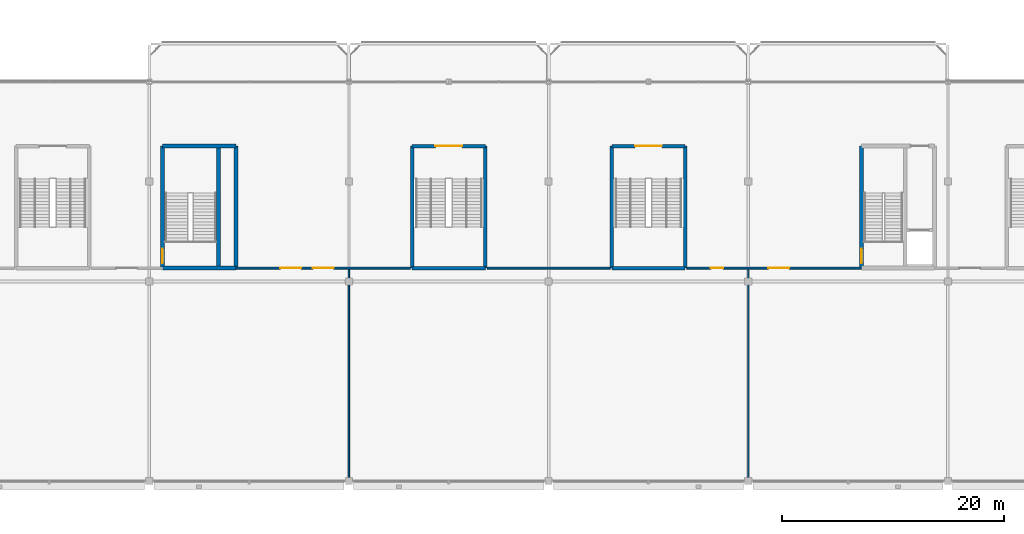
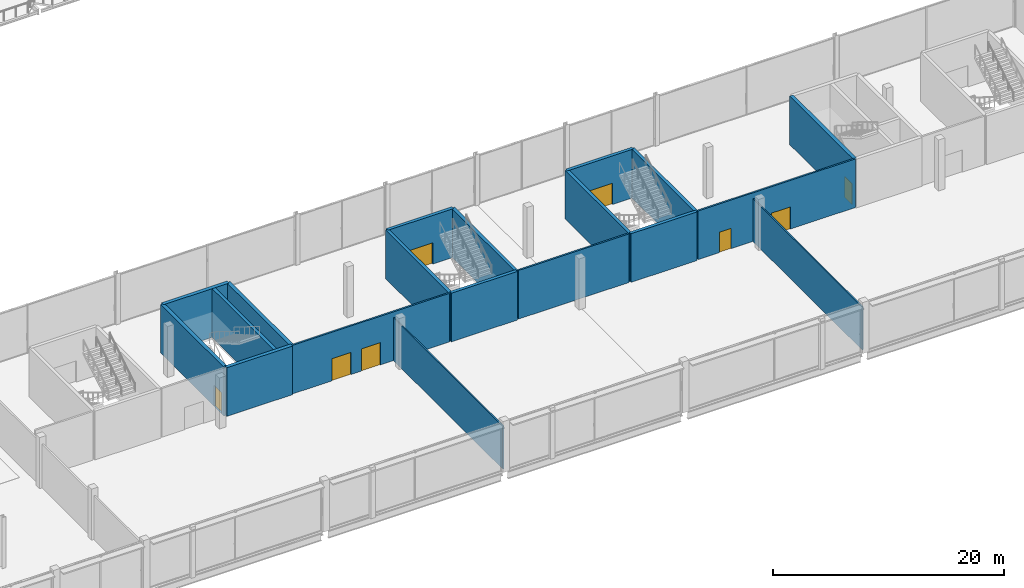
# One storey, part 65 of 113: 19 walls, 8 doors, 8 openings.
"""IFC4 building model written with IfcOpenShell, lengths in metres."""

from ifc_helpers import new_model, si_unit, direction, frame, frame_2d, origin, place, context, subcontext, project, spatial, rectangle, extrude, material, layer, layer_set, type_object, element, fill, save


model = new_model("IFC4")

# Units and contexts
model_context = context("Model", 3, precision=1e-05, world=origin(), true_north=direction((0.0, 1.0)))
body_context = subcontext(model_context, "Body", "Model", "MODEL_VIEW")
ifc_project = project(units=[si_unit("LENGTHUNIT", "METRE"), si_unit("AREAUNIT", "SQUARE_METRE"), si_unit("VOLUMEUNIT", "CUBIC_METRE"), si_unit("PLANEANGLEUNIT", "RADIAN"), si_unit("MASSUNIT", "GRAM", prefix="KILO")], contexts=[model_context])

# Site, building, storey
site_placement = place(None, origin())
site = spatial("IfcSite", under=ifc_project, at=site_placement, CompositionType="ELEMENT")
building_placement = place(site_placement, origin())
building = spatial("IfcBuilding", under=site, at=building_placement, Name="Kisiwana Market Hall", CompositionType="ELEMENT")
storey_placement = place(building_placement, frame((0.0, 0.0, 6.0)))
storey = spatial("IfcBuildingStorey", under=building, at=storey_placement, Name="L01", CompositionType="ELEMENT", Elevation=6.0)

# Walls
ifc_material_1 = material(Name="Concrete C40/50", Category="concrete")
ifc_layer_1 = layer(ifc_material_1, 0.320068359375, Name="Reinforced concrete shaft wall")
ifc_layer_set_1 = layer_set([ifc_layer_1], Name="WL-CORE-320")
wall_type_1 = type_object("IfcWallType", Name="WL-CORE-320", PredefinedType="SHEAR", material=ifc_layer_set_1)
wall_1_placement = place(storey_placement, frame((69.239990234375, 19.3798828125, 0.0), z_axis=(0.0, 0.0, 1.0), x_axis=(0.0, 1.0, 0.0)))
element("IfcWall", 1, at=wall_1_placement, inside=storey, type_object=wall_type_1, Name="Core S1 shaft divider W-0712", PredefinedType="SHEAR", context=body_context, shape_type="SweptSolid", body=[
    extrude(rectangle(XDim=10.64013671875, YDim=0.320068359375, at=frame_2d((5.320068359375, 0.0))), origin(), (0.0, 0.0, 1.0), 5.14990234375),
])
wall_2_placement = place(storey_placement, frame((86.699951171875, 19.199951171875, 0.0), z_axis=(0.0, 0.0, 1.0), x_axis=(1.0, 0.0, 0.0)))
element("IfcWall", 2, at=wall_2_placement, inside=storey, type_object=wall_type_1, Name="Core S4 outer shear wall W-0802", PredefinedType="SHEAR", context=body_context, shape_type="SweptSolid", body=[
    extrude(rectangle(XDim=6.60009765625, YDim=0.320068359375, at=frame_2d((3.300048828125, 0.0))), origin(), (0.0, 0.0, 1.0), 5.14990234375),
])

# Wall, opening, door
wall_3_placement = place(storey_placement, frame((86.699951171875, 30.199951171875, 0.0), z_axis=(0.0, 0.0, 1.0), x_axis=(1.0, 0.0, 0.0)))
wall_3 = element("IfcWall", 3, at=wall_3_placement, inside=storey, type_object=wall_type_1, Name="Core S4 corridor shear wall W-0803", PredefinedType="SHEAR", context=body_context, shape_type="SweptSolid", body=[
    extrude(rectangle(XDim=6.60009765625, YDim=0.320068359375, at=frame_2d((3.300048828125, 0.0))), origin(), (0.0, 0.0, 1.0), 5.14990234375),
])
opening_1_placement = place(wall_3_placement, frame((2.10009765625, 0.0, 0.0)))
opening_1 = element("IfcOpeningElement", 4, at=opening_1_placement, cuts=wall_3, Name="Opening DR-L01-035", PredefinedType="OPENING", context=body_context, shape_type="SweptSolid", body=[
    extrude(rectangle(XDim=2.39990234375, YDim=2.25, at=frame_2d((1.199951171875, 1.125))), frame((0.0, 0.171875, 0.0), z_axis=(0.0, -1.0, 0.0), x_axis=(1.0, 0.0, 0.0)), (0.0, 0.0, 1.0), 0.343994140625),
])
ifc_material_2 = material(Name="Steel S275", Category="steel")
door_type_1 = type_object("IfcDoorType", Name="DR-STAIR-FD120-2400", OperationType="DOUBLE_DOOR_SINGLE_SWING", PredefinedType="DOOR", material=ifc_material_2)
door_1_placement = place(opening_1_placement, frame((2.39990234375, 0.0, 0.0), z_axis=(0.0, 0.0, 1.0), x_axis=(-1.0, 0.0, 0.0)))
door_1 = element("IfcDoor", 5, at=door_1_placement, inside=storey, type_object=door_type_1, Name="Escape Stair S4 Fire Door (L01)", OperationType="DOUBLE_DOOR_SINGLE_SWING", OverallHeight=2.25, OverallWidth=2.39990234375, PredefinedType="DOOR", context=body_context, shape_type="SweptSolid", body=[
    extrude(rectangle(XDim=2.39990234375, YDim=2.25, at=frame_2d((1.199951171875, 1.125))), frame((0.0, 0.02490234375, 0.0), z_axis=(0.0, -1.0, 0.0), x_axis=(1.0, 0.0, 0.0)), (0.0, 0.0, 1.0), 0.050048828125),
])
fill(opening_1, door_1)

# Walls
for number, where, z_axis, x_axis, name in (
    (6, (86.699951171875, 19.199951171875, 0.0), (0.0, 0.0, 1.0), (0.0, 1.0, 0.0), "Core S4 west shear wall W-0804"),
    (7, (93.300048828125, 19.199951171875, 0.0), (0.0, 0.0, 1.0), (0.0, 1.0, 0.0), "Core S4 east shear wall W-0805"),
):
    element("IfcWall", number, at=place(storey_placement, frame(where, z_axis=z_axis, x_axis=x_axis)), inside=storey, type_object=wall_type_1, Name=name, PredefinedType="SHEAR", context=body_context, shape_type="SweptSolid", body=[
        extrude(rectangle(XDim=11.0, YDim=0.320068359375, at=frame_2d((5.5, 0.0))), origin(), (0.0, 0.0, 1.0), 5.14990234375),
    ])
wall_4_placement = place(storey_placement, frame((104.699951171875, 19.199951171875, 0.0), z_axis=(0.0, 0.0, 1.0), x_axis=(1.0, 0.0, 0.0)))
element("IfcWall", 8, at=wall_4_placement, inside=storey, type_object=wall_type_1, Name="Core S5 outer shear wall W-0810", PredefinedType="SHEAR", context=body_context, shape_type="SweptSolid", body=[
    extrude(rectangle(XDim=6.60009765625, YDim=0.320068359375, at=frame_2d((3.300048828125, 0.0))), origin(), (0.0, 0.0, 1.0), 5.14990234375),
])

# Wall, opening, door
wall_5_placement = place(storey_placement, frame((104.699951171875, 30.199951171875, 0.0), z_axis=(0.0, 0.0, 1.0), x_axis=(1.0, 0.0, 0.0)))
wall_5 = element("IfcWall", 9, at=wall_5_placement, inside=storey, type_object=wall_type_1, Name="Core S5 corridor shear wall W-0811", PredefinedType="SHEAR", context=body_context, shape_type="SweptSolid", body=[
    extrude(rectangle(XDim=6.60009765625, YDim=0.320068359375, at=frame_2d((3.300048828125, 0.0))), origin(), (0.0, 0.0, 1.0), 5.14990234375),
])
opening_2_placement = place(wall_5_placement, frame((2.10009765625, 0.0, 0.0)))
opening_2 = element("IfcOpeningElement", 10, at=opening_2_placement, cuts=wall_5, Name="Opening DR-L01-037", PredefinedType="OPENING", context=body_context, shape_type="SweptSolid", body=[
    extrude(rectangle(XDim=2.39990234375, YDim=2.25, at=frame_2d((1.199951171875, 1.125))), frame((0.0, 0.171875, 0.0), z_axis=(0.0, -1.0, 0.0), x_axis=(1.0, 0.0, 0.0)), (0.0, 0.0, 1.0), 0.343994140625),
])
door_2_placement = place(opening_2_placement, frame((2.39990234375, 0.0, 0.0), z_axis=(0.0, 0.0, 1.0), x_axis=(-1.0, 0.0, 0.0)))
door_2 = element("IfcDoor", 11, at=door_2_placement, inside=storey, type_object=door_type_1, Name="Escape Stair S5 Fire Door (L01)", OperationType="DOUBLE_DOOR_SINGLE_SWING", OverallHeight=2.25, OverallWidth=2.39990234375, PredefinedType="DOOR", context=body_context, shape_type="SweptSolid", body=[
    extrude(rectangle(XDim=2.39990234375, YDim=2.25, at=frame_2d((1.199951171875, 1.125))), frame((0.0, 0.02490234375, 0.0), z_axis=(0.0, -1.0, 0.0), x_axis=(1.0, 0.0, 0.0)), (0.0, 0.0, 1.0), 0.050048828125),
])
fill(opening_2, door_2)

# Walls
for number, where, z_axis, x_axis, name in (
    (12, (104.699951171875, 19.199951171875, 0.0), (0.0, 0.0, 1.0), (0.0, 1.0, 0.0), "Core S5 west shear wall W-0812"),
    (13, (111.300048828125, 19.199951171875, 0.0), (0.0, 0.0, 1.0), (0.0, 1.0, 0.0), "Core S5 east shear wall W-0813"),
):
    element("IfcWall", number, at=place(storey_placement, frame(where, z_axis=z_axis, x_axis=x_axis)), inside=storey, type_object=wall_type_1, Name=name, PredefinedType="SHEAR", context=body_context, shape_type="SweptSolid", body=[
        extrude(rectangle(XDim=11.0, YDim=0.320068359375, at=frame_2d((5.5, 0.0))), origin(), (0.0, 0.0, 1.0), 5.14990234375),
    ])
ifc_material_3 = material(Name="Concrete C40/50", Category="concrete")
ifc_layer_2 = layer(ifc_material_3, 0.360107421875, Name="Reinforced concrete core wall")
ifc_layer_set_2 = layer_set([ifc_layer_2], Name="WL-CORE-360")
wall_type_2 = type_object("IfcWallType", Name="WL-CORE-360", PredefinedType="SHEAR", material=ifc_layer_set_2)
for number, where, z_axis, x_axis, name in (
    (14, (64.199951171875, 19.199951171875, 0.0), (0.0, 0.0, 1.0), (1.0, 0.0, 0.0), "Core S1 south wall W-0708"),
    (15, (64.199951171875, 30.199951171875, 0.0), (0.0, 0.0, 1.0), (1.0, 0.0, 0.0), "Core S1 north wall W-0709"),
):
    element("IfcWall", number, at=place(storey_placement, frame(where, z_axis=z_axis, x_axis=x_axis)), inside=storey, type_object=wall_type_2, Name=name, PredefinedType="SHEAR", context=body_context, shape_type="SweptSolid", body=[
        extrude(rectangle(XDim=6.60009765625, YDim=0.360107421875, at=frame_2d((3.300048828125, 0.0))), origin(), (0.0, 0.0, 1.0), 5.14990234375),
    ])

# Wall, opening, door
wall_6_placement = place(storey_placement, frame((64.199951171875, 19.199951171875, 0.0), z_axis=(0.0, 0.0, 1.0), x_axis=(0.0, 1.0, 0.0)))
wall_6 = element("IfcWall", 16, at=wall_6_placement, inside=storey, type_object=wall_type_2, Name="Core S1 west wall W-0710", PredefinedType="SHEAR", context=body_context, shape_type="SweptSolid", body=[
    extrude(rectangle(XDim=11.0, YDim=0.360107421875, at=frame_2d((5.5, 0.0))), origin(), (0.0, 0.0, 1.0), 5.14990234375),
])
opening_3_placement = place(wall_6_placement, frame((0.449951171875, 0.0, 0.0)))
opening_3 = element("IfcOpeningElement", 17, at=opening_3_placement, cuts=wall_6, Name="Opening DR-L01-013", PredefinedType="OPENING", context=body_context, shape_type="SweptSolid", body=[
    extrude(rectangle(XDim=1.300048828125, YDim=2.199951171875, at=frame_2d((0.64990234375, 1.10009765625))), frame((0.0, 0.19189453125, 0.0), z_axis=(0.0, -1.0, 0.0), x_axis=(1.0, 0.0, 0.0)), (0.0, 0.0, 1.0), 0.384033203125),
])
ifc_material_4 = material(Name="Steel S275", Category="steel")
door_type_2 = type_object("IfcDoorType", Name="DR-STAIR-FD120-1300", OperationType="NOTDEFINED", PredefinedType="DOOR", material=ifc_material_4)
door_3_placement = place(opening_3_placement, origin())
door_3 = element("IfcDoor", 18, at=door_3_placement, inside=storey, type_object=door_type_2, Name="Podium Escape Stair S1 Fire Door (L01)", OperationType="SINGLE_SWING_LEFT", OverallHeight=2.199951171875, OverallWidth=1.300048828125, PredefinedType="DOOR", context=body_context, shape_type="SweptSolid", body=[
    extrude(rectangle(XDim=1.300048828125, YDim=2.199951171875, at=frame_2d((0.64990234375, 1.10009765625))), frame((0.0, 0.02490234375, 0.0), z_axis=(0.0, -1.0, 0.0), x_axis=(1.0, 0.0, 0.0)), (0.0, 0.0, 1.0), 0.050048828125),
])
fill(opening_3, door_3)

# Wall
wall_7_placement = place(storey_placement, frame((70.800048828125, 19.199951171875, 0.0), z_axis=(0.0, 0.0, 1.0), x_axis=(0.0, 1.0, 0.0)))
element("IfcWall", 19, at=wall_7_placement, inside=storey, type_object=wall_type_2, Name="Core S1 east wall W-0711", PredefinedType="SHEAR", context=body_context, shape_type="SweptSolid", body=[
    extrude(rectangle(XDim=11.0, YDim=0.360107421875, at=frame_2d((5.5, 0.0))), origin(), (0.0, 0.0, 1.0), 5.14990234375),
])

# Wall, opening, door
wall_8_placement = place(storey_placement, frame((127.199951171875, 19.199951171875, 0.0), z_axis=(0.0, 0.0, 1.0), x_axis=(0.0, 1.0, 0.0)))
wall_8 = element("IfcWall", 20, at=wall_8_placement, inside=storey, type_object=wall_type_2, Name="Core S2 west wall W-0715", PredefinedType="SHEAR", context=body_context, shape_type="SweptSolid", body=[
    extrude(rectangle(XDim=11.0, YDim=0.360107421875, at=frame_2d((5.5, 0.0))), origin(), (0.0, 0.0, 1.0), 5.14990234375),
])
opening_4_placement = place(wall_8_placement, frame((0.449951171875, 0.0, 0.0)))
opening_4 = element("IfcOpeningElement", 21, at=opening_4_placement, cuts=wall_8, Name="Opening DR-L01-014", PredefinedType="OPENING", context=body_context, shape_type="SweptSolid", body=[
    extrude(rectangle(XDim=1.300048828125, YDim=2.199951171875, at=frame_2d((0.64990234375, 1.10009765625))), frame((0.0, 0.19189453125, 0.0), z_axis=(0.0, -1.0, 0.0), x_axis=(1.0, 0.0, 0.0)), (0.0, 0.0, 1.0), 0.384033203125),
])
door_4_placement = place(opening_4_placement, origin())
door_4 = element("IfcDoor", 22, at=door_4_placement, inside=storey, type_object=door_type_2, Name="Podium Escape Stair S2 Fire Door (L01)", OperationType="SINGLE_SWING_LEFT", OverallHeight=2.199951171875, OverallWidth=1.300048828125, PredefinedType="DOOR", context=body_context, shape_type="SweptSolid", body=[
    extrude(rectangle(XDim=1.300048828125, YDim=2.199951171875, at=frame_2d((0.64990234375, 1.10009765625))), frame((0.0, 0.02490234375, 0.0), z_axis=(0.0, -1.0, 0.0), x_axis=(1.0, 0.0, 0.0)), (0.0, 0.0, 1.0), 0.050048828125),
])
fill(opening_4, door_4)

# Wall, openings, doors
ifc_material_5 = material(Name="Masonry blockwork", Category="masonry")
ifc_layer_3 = layer(ifc_material_5, 0.169921875, Name="Protected corridor partition")
ifc_layer_set_3 = layer_set([ifc_layer_3], Name="WL-CORR-170")
wall_type_3 = type_object("IfcWallType", Name="WL-CORR-170", PredefinedType="PARTITIONING", material=ifc_layer_set_3)
wall_9_placement = place(storey_placement, frame((70.800048828125, 19.199951171875, 0.0), z_axis=(0.0, 0.0, 1.0), x_axis=(1.0, 0.0, 0.0)))
wall_9 = element("IfcWall", 23, at=wall_9_placement, inside=storey, type_object=wall_type_3, Name="Interior partition W-0906", PredefinedType="PARTITIONING", context=body_context, shape_type="SweptSolid", body=[
    extrude(rectangle(XDim=15.739990234375, YDim=0.169921875, at=frame_2d((7.8701171875, 0.0))), origin(), (0.0, 0.0, 1.0), 5.14990234375),
])
opening_5_placement = place(wall_9_placement, frame((4.0, 0.0, 0.0)))
opening_5 = element("IfcOpeningElement", 24, at=opening_5_placement, cuts=wall_9, Name="Opening DR-L01-078", PredefinedType="OPENING", context=body_context, shape_type="SweptSolid", body=[
    extrude(rectangle(XDim=1.89990234375, YDim=2.35009765625, at=frame_2d((0.949951171875, 1.175048828125))), frame((0.0, 0.096923828125, 0.0), z_axis=(0.0, -1.0, 0.0), x_axis=(1.0, 0.0, 0.0)), (0.0, 0.0, 1.0), 0.19384765625),
])
opening_6_placement = place(wall_9_placement, frame((6.919921875, 0.0, 0.0)))
opening_6 = element("IfcOpeningElement", 25, at=opening_6_placement, cuts=wall_9, Name="Opening DR-L01-079", PredefinedType="OPENING", context=body_context, shape_type="SweptSolid", body=[
    extrude(rectangle(XDim=1.89990234375, YDim=2.35009765625, at=frame_2d((0.949951171875, 1.175048828125))), frame((0.0, 0.096923828125, 0.0), z_axis=(0.0, -1.0, 0.0), x_axis=(1.0, 0.0, 0.0)), (0.0, 0.0, 1.0), 0.19384765625),
])
ifc_material_6 = material(Name="Steel S275", Category="steel")
door_type_3 = type_object("IfcDoorType", Name="DR-HALL-1900", OperationType="DOUBLE_DOOR_SINGLE_SWING", PredefinedType="DOOR", material=ifc_material_6)
door_5_placement = place(opening_5_placement, origin())
door_5 = element("IfcDoor", 26, at=door_5_placement, inside=storey, type_object=door_type_3, Name="L01 Food Court SW Inner Door", OperationType="DOUBLE_DOOR_SINGLE_SWING", OverallHeight=2.35009765625, OverallWidth=1.89990234375, PredefinedType="DOOR", context=body_context, shape_type="SweptSolid", body=[
    extrude(rectangle(XDim=1.89990234375, YDim=2.35009765625, at=frame_2d((0.949951171875, 1.175048828125))), frame((0.0, 0.02490234375, 0.0), z_axis=(0.0, -1.0, 0.0), x_axis=(1.0, 0.0, 0.0)), (0.0, 0.0, 1.0), 0.050048828125),
])
fill(opening_5, door_5)
door_6_placement = place(opening_6_placement, origin())
door_6 = element("IfcDoor", 27, at=door_6_placement, inside=storey, type_object=door_type_3, Name="L01 Food Court Central South Door", OperationType="DOUBLE_DOOR_SINGLE_SWING", OverallHeight=2.35009765625, OverallWidth=1.89990234375, PredefinedType="DOOR", context=body_context, shape_type="SweptSolid", body=[
    extrude(rectangle(XDim=1.89990234375, YDim=2.35009765625, at=frame_2d((0.949951171875, 1.175048828125))), frame((0.0, 0.02490234375, 0.0), z_axis=(0.0, -1.0, 0.0), x_axis=(1.0, 0.0, 0.0)), (0.0, 0.0, 1.0), 0.050048828125),
])
fill(opening_6, door_6)

# Wall
wall_10_placement = place(storey_placement, frame((93.4599609375, 19.199951171875, 0.0), z_axis=(0.0, 0.0, 1.0), x_axis=(1.0, 0.0, 0.0)))
element("IfcWall", 28, at=wall_10_placement, inside=storey, type_object=wall_type_3, Name="Interior partition W-0907", PredefinedType="PARTITIONING", context=body_context, shape_type="SweptSolid", body=[
    extrude(rectangle(XDim=11.080078125, YDim=0.169921875, at=frame_2d((5.5400390625, 0.0))), origin(), (0.0, 0.0, 1.0), 5.14990234375),
])

# Wall, openings, doors
wall_11_placement = place(storey_placement, frame((111.4599609375, 19.199951171875, 0.0), z_axis=(0.0, 0.0, 1.0), x_axis=(1.0, 0.0, 0.0)))
wall_11 = element("IfcWall", 29, at=wall_11_placement, inside=storey, type_object=wall_type_3, Name="Interior partition W-0908", PredefinedType="PARTITIONING", context=body_context, shape_type="SweptSolid", body=[
    extrude(rectangle(XDim=15.739990234375, YDim=0.169921875, at=frame_2d((7.8701171875, 0.0))), origin(), (0.0, 0.0, 1.0), 5.14990234375),
])
opening_7_placement = place(wall_11_placement, frame((7.340087890625, 0.0, 0.0)))
opening_7 = element("IfcOpeningElement", 30, at=opening_7_placement, cuts=wall_11, Name="Opening DR-L01-080", PredefinedType="OPENING", context=body_context, shape_type="SweptSolid", body=[
    extrude(rectangle(XDim=1.89990234375, YDim=2.35009765625, at=frame_2d((0.949951171875, 1.175048828125))), frame((0.0, 0.096923828125, 0.0), z_axis=(0.0, -1.0, 0.0), x_axis=(1.0, 0.0, 0.0)), (0.0, 0.0, 1.0), 0.19384765625),
])
opening_8_placement = place(wall_11_placement, frame((2.14990234375, 0.0, 0.0)))
opening_8 = element("IfcOpeningElement", 31, at=opening_8_placement, cuts=wall_11, Name="Opening DR-L01-081", PredefinedType="OPENING", context=body_context, shape_type="SweptSolid", body=[
    extrude(rectangle(XDim=1.14990234375, YDim=2.14990234375, at=frame_2d((0.574951171875, 1.074951171875))), frame((0.0, 0.096923828125, 0.0), z_axis=(0.0, -1.0, 0.0), x_axis=(1.0, 0.0, 0.0)), (0.0, 0.0, 1.0), 0.19384765625),
])
door_7_placement = place(opening_7_placement, origin())
door_7 = element("IfcDoor", 32, at=door_7_placement, inside=storey, type_object=door_type_3, Name="L01 Food Court SE Inner Door", OperationType="DOUBLE_DOOR_SINGLE_SWING", OverallHeight=2.35009765625, OverallWidth=1.89990234375, PredefinedType="DOOR", context=body_context, shape_type="SweptSolid", body=[
    extrude(rectangle(XDim=1.89990234375, YDim=2.35009765625, at=frame_2d((0.949951171875, 1.175048828125))), frame((0.0, 0.02490234375, 0.0), z_axis=(0.0, -1.0, 0.0), x_axis=(1.0, 0.0, 0.0)), (0.0, 0.0, 1.0), 0.050048828125),
])
fill(opening_7, door_7)
ifc_material_7 = material(Name="Aluminium alloy 6063-T6", Category="aluminium")
door_type_4 = type_object("IfcDoorType", Name="DR-MEET-1150", OperationType="NOTDEFINED", PredefinedType="DOOR", material=ifc_material_7)
door_8_placement = place(opening_8_placement, origin())
door_8 = element("IfcDoor", 33, at=door_8_placement, inside=storey, type_object=door_type_4, Name="L01 E Food Court Cooked-Food Stalls South Door", OperationType="SINGLE_SWING_LEFT", OverallHeight=2.14990234375, OverallWidth=1.14990234375, PredefinedType="DOOR", context=body_context, shape_type="SweptSolid", body=[
    extrude(rectangle(XDim=1.14990234375, YDim=2.14990234375, at=frame_2d((0.574951171875, 1.074951171875))), frame((0.0, 0.02490234375, 0.0), z_axis=(0.0, -1.0, 0.0), x_axis=(1.0, 0.0, 0.0)), (0.0, 0.0, 1.0), 0.050048828125),
])
fill(opening_8, door_8)

# Walls
ifc_material_8 = material(Name="Gypsum plasterboard")
ifc_layer_4 = layer(ifc_material_8, 0.125, Name="Double gypsum board + acoustic stud")
ifc_layer_set_4 = layer_set([ifc_layer_4], Name="WL-OFF-125")
wall_type_4 = type_object("IfcWallType", Name="WL-OFF-125", PredefinedType="PARTITIONING", material=ifc_layer_set_4)
for number, where, z_axis, x_axis, name in (
    (34, (81.0, 0.157470703125, 0.0), (0.0, 0.0, 1.0), (0.0, 1.0, 0.0), "Interior partition W-0900"),
    (35, (117.0, 0.157470703125, 0.0), (0.0, 0.0, 1.0), (0.0, 1.0, 0.0), "Interior partition W-0902"),
):
    element("IfcWall", number, at=place(storey_placement, frame(where, z_axis=z_axis, x_axis=x_axis)), inside=storey, type_object=wall_type_4, Name=name, PredefinedType="PARTITIONING", context=body_context, shape_type="SweptSolid", body=[
        extrude(rectangle(XDim=18.95751953125, YDim=0.125, at=frame_2d((9.478759765625, 0.0))), origin(), (0.0, 0.0, 1.0), 4.537841796875),
    ])

save(model, "model.ifc")
